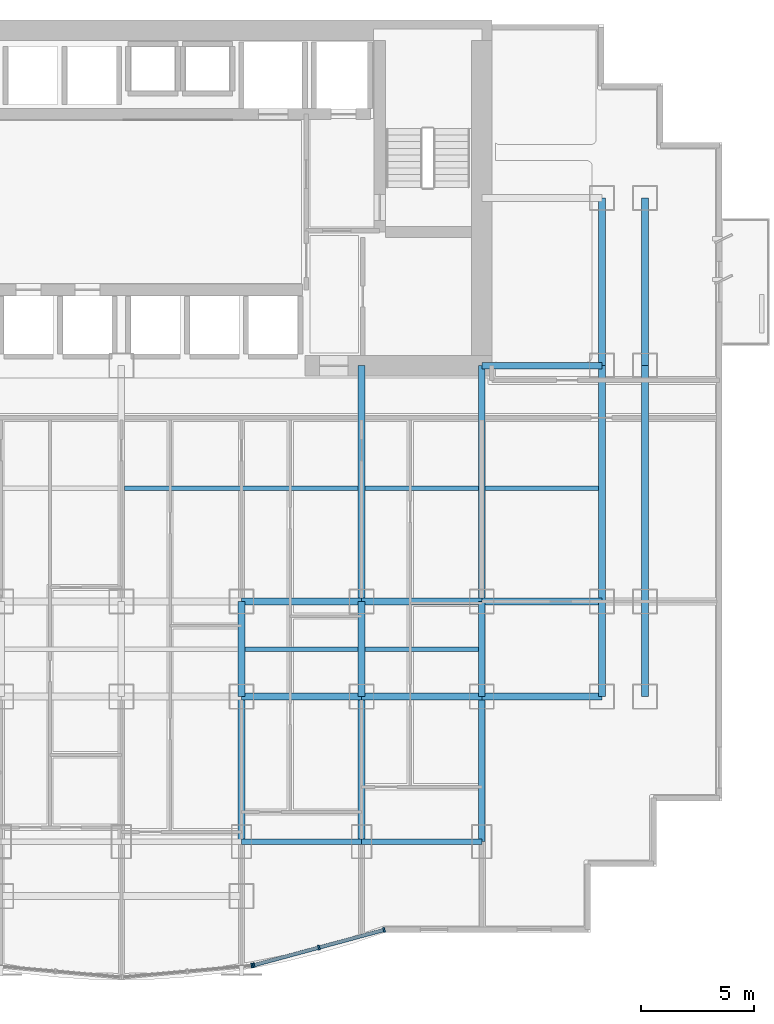
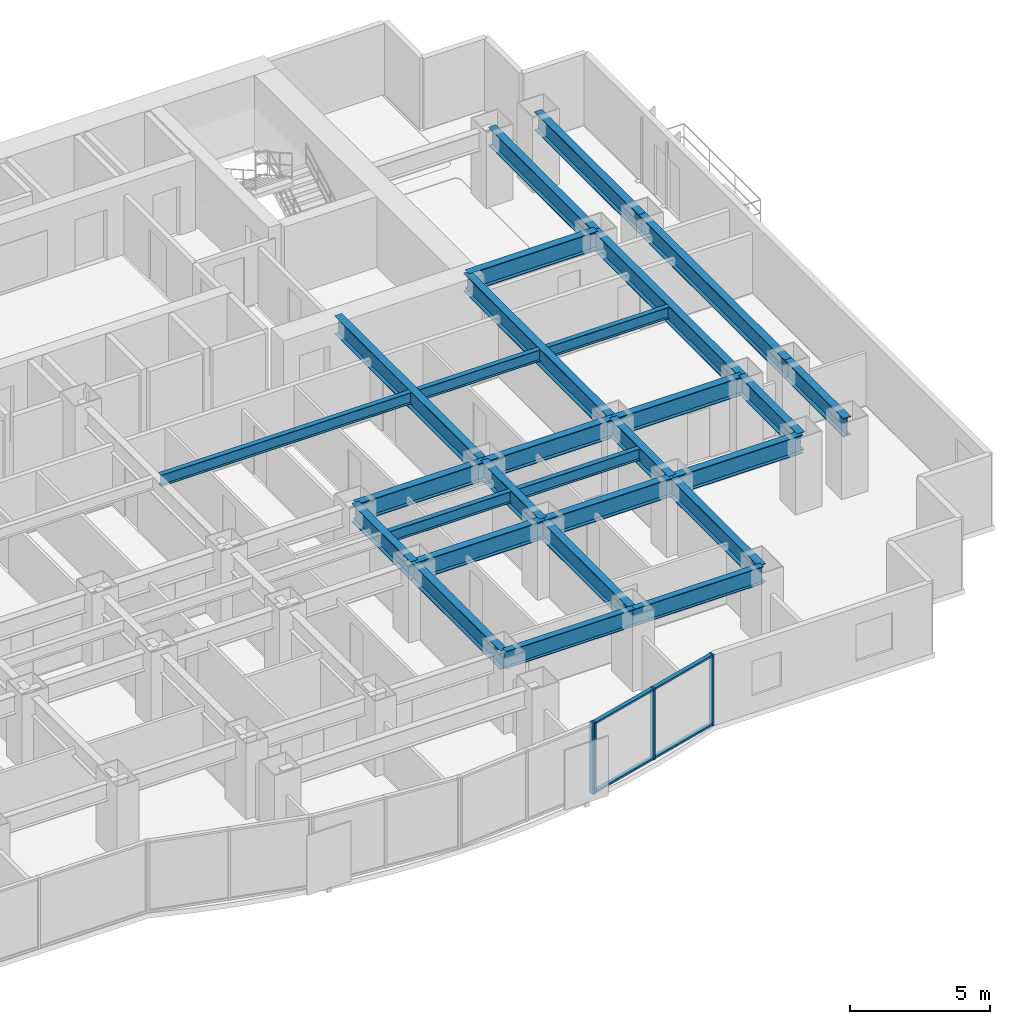
# One storey, part 3 of 10: 28 beams, 8 members, 2 elements without a shape of their own.
"""IFC4 building model written with IfcOpenShell, lengths in metres."""

from ifc_helpers import new_model, si_unit, direction, frame, origin, origin_2d, place, context, subcontext, project, spatial, rectangle, i_section, extrude, source, transform, mapped, material, layer, layer_set, material_profile, profile_set, type_object, element, aggregate, save


model = new_model("IFC4")

# Units and contexts
model_context = context("Model", 3, precision=1e-05, world=origin(), true_north=direction((0.0, 1.0)))
body_context = subcontext(model_context, "Body", "Model", "MODEL_VIEW")
ifc_project = project(units=[si_unit("LENGTHUNIT", "METRE"), si_unit("AREAUNIT", "SQUARE_METRE"), si_unit("VOLUMEUNIT", "CUBIC_METRE"), si_unit("PLANEANGLEUNIT", "RADIAN"), si_unit("MASSUNIT", "GRAM", prefix="KILO")], contexts=[model_context])

# Site, building, storey
site_placement = place(None, origin())
site = spatial("IfcSite", under=ifc_project, at=site_placement, CompositionType="ELEMENT")
building_placement = place(site_placement, origin())
building = spatial("IfcBuilding", under=site, at=building_placement, Name="Qianlan Lanfeng Residences", CompositionType="ELEMENT")
storey_placement = place(building_placement, frame((0.0, 0.0, 60.5)))
storey = spatial("IfcBuildingStorey", under=building, at=storey_placement, Name="L16", CompositionType="ELEMENT", Elevation=60.5)

# Beams
ifc_material_1 = material(Name="Steel SN490B", Category="steel")
ifc_material_profile_1 = material_profile(ifc_material_1, i_section(OverallWidth=0.300048828125, OverallDepth=0.800048828125, WebThickness=0.01611328125, FlangeThickness=0.028076171875, at=origin_2d()), Name="H 800x300x16x28")
ifc_profile_set_1 = profile_set([ifc_material_profile_1], Name="Steel SN490B")
beam_type_1 = type_object("IfcBeamType", Name="G-950", PredefinedType="BEAM", material=ifc_profile_set_1)
beam_1_placement = place(storey_placement, frame((31.800048828125, 10.60009765625, 2.679931640625), z_axis=(1.0, 0.0, 0.0), x_axis=(0.0, 1.0, 0.0)))
element("IfcBeam", 1, at=beam_1_placement, inside=storey, type_object=beam_type_1, Name="Structural beam G-950", PredefinedType="BEAM", context=body_context, shape_type="SweptSolid", body=[
    extrude(i_section(OverallWidth=0.300048828125, OverallDepth=0.800048828125, WebThickness=0.01611328125, FlangeThickness=0.028076171875, at=origin_2d()), origin(), (0.0, 0.0, 1.0), 5.300048828125),
])
beam_2_placement = place(storey_placement, frame((37.10009765625, 10.60009765625, 2.679931640625), z_axis=(1.0, 0.0, 0.0), x_axis=(0.0, 1.0, 0.0)))
element("IfcBeam", 2, at=beam_2_placement, inside=storey, type_object=beam_type_1, Name="Structural beam G-950", PredefinedType="BEAM", context=body_context, shape_type="SweptSolid", body=[
    extrude(i_section(OverallWidth=0.300048828125, OverallDepth=0.800048828125, WebThickness=0.01611328125, FlangeThickness=0.028076171875, at=origin_2d()), origin(), (0.0, 0.0, 1.0), 5.2998046875),
])
for number, where, z_axis, x_axis, name in (
    (3, (42.39990234375, 10.60009765625, 2.679931640625), (1.0, 0.0, 0.0), (0.0, 1.0, 0.0), "Structural beam G-950"),
    (4, (31.800048828125, 14.800048828125, 2.679931640625), (1.0, 0.0, 0.0), (0.0, 1.0, 0.0), "Structural beam G-950"),
):
    element("IfcBeam", number, at=place(storey_placement, frame(where, z_axis=z_axis, x_axis=x_axis)), inside=storey, type_object=beam_type_1, Name=name, PredefinedType="BEAM", context=body_context, shape_type="SweptSolid", body=[
        extrude(i_section(OverallWidth=0.300048828125, OverallDepth=0.800048828125, WebThickness=0.01611328125, FlangeThickness=0.028076171875, at=origin_2d()), origin(), (0.0, 0.0, 1.0), 5.300048828125),
    ])
beam_3_placement = place(storey_placement, frame((37.10009765625, 14.800048828125, 2.679931640625), z_axis=(1.0, 0.0, 0.0), x_axis=(0.0, 1.0, 0.0)))
element("IfcBeam", 5, at=beam_3_placement, inside=storey, type_object=beam_type_1, Name="Structural beam G-950", PredefinedType="BEAM", context=body_context, shape_type="SweptSolid", body=[
    extrude(i_section(OverallWidth=0.300048828125, OverallDepth=0.800048828125, WebThickness=0.01611328125, FlangeThickness=0.028076171875, at=origin_2d()), origin(), (0.0, 0.0, 1.0), 5.2998046875),
])
for number, where, z_axis, x_axis, name in (
    (6, (42.39990234375, 14.800048828125, 2.679931640625), (1.0, 0.0, 0.0), (0.0, 1.0, 0.0), "Structural beam G-950"),
    (7, (42.39990234375, 25.199951171875, 2.679931640625), (1.0, 0.0, 0.0), (0.0, 1.0, 0.0), "Structural beam G-950"),
):
    element("IfcBeam", number, at=place(storey_placement, frame(where, z_axis=z_axis, x_axis=x_axis)), inside=storey, type_object=beam_type_1, Name=name, PredefinedType="BEAM", context=body_context, shape_type="SweptSolid", body=[
        extrude(i_section(OverallWidth=0.300048828125, OverallDepth=0.800048828125, WebThickness=0.01611328125, FlangeThickness=0.028076171875, at=origin_2d()), origin(), (0.0, 0.0, 1.0), 5.300048828125),
    ])
beam_4_placement = place(storey_placement, frame((31.800048828125, 4.199951171875, 2.679931640625), z_axis=(0.0, 1.0, 0.0), x_axis=(-1.0, 0.0, 0.0)))
element("IfcBeam", 8, at=beam_4_placement, inside=storey, type_object=beam_type_1, Name="Structural beam G-950", PredefinedType="BEAM", context=body_context, shape_type="SweptSolid", body=[
    extrude(i_section(OverallWidth=0.300048828125, OverallDepth=0.800048828125, WebThickness=0.01611328125, FlangeThickness=0.028076171875, at=origin_2d()), origin(), (0.0, 0.0, 1.0), 6.400146484375),
])
beam_5_placement = place(storey_placement, frame((31.800048828125, 10.60009765625, 2.679931640625), z_axis=(0.0, 1.0, 0.0), x_axis=(-1.0, 0.0, 0.0)))
element("IfcBeam", 9, at=beam_5_placement, inside=storey, type_object=beam_type_1, Name="Structural beam G-950", PredefinedType="BEAM", context=body_context, shape_type="SweptSolid", body=[
    extrude(i_section(OverallWidth=0.300048828125, OverallDepth=0.800048828125, WebThickness=0.01611328125, FlangeThickness=0.028076171875, at=origin_2d()), origin(), (0.0, 0.0, 1.0), 4.199951171875),
])
beam_6_placement = place(storey_placement, frame((37.10009765625, 4.199951171875, 2.679931640625), z_axis=(0.0, 1.0, 0.0), x_axis=(-1.0, 0.0, 0.0)))
element("IfcBeam", 10, at=beam_6_placement, inside=storey, type_object=beam_type_1, Name="Structural beam G-950", PredefinedType="BEAM", context=body_context, shape_type="SweptSolid", body=[
    extrude(i_section(OverallWidth=0.300048828125, OverallDepth=0.800048828125, WebThickness=0.01611328125, FlangeThickness=0.028076171875, at=origin_2d()), origin(), (0.0, 0.0, 1.0), 6.400146484375),
])
beam_7_placement = place(storey_placement, frame((37.10009765625, 10.60009765625, 2.679931640625), z_axis=(0.0, 1.0, 0.0), x_axis=(-1.0, 0.0, 0.0)))
element("IfcBeam", 11, at=beam_7_placement, inside=storey, type_object=beam_type_1, Name="Structural beam G-950", PredefinedType="BEAM", context=body_context, shape_type="SweptSolid", body=[
    extrude(i_section(OverallWidth=0.300048828125, OverallDepth=0.800048828125, WebThickness=0.01611328125, FlangeThickness=0.028076171875, at=origin_2d()), origin(), (0.0, 0.0, 1.0), 4.199951171875),
])
beam_8_placement = place(storey_placement, frame((37.10009765625, 14.800048828125, 2.679931640625), z_axis=(0.0, 1.0, 0.0), x_axis=(-1.0, 0.0, 0.0)))
element("IfcBeam", 12, at=beam_8_placement, inside=storey, type_object=beam_type_1, Name="Structural beam G-950", PredefinedType="BEAM", context=body_context, shape_type="SweptSolid", body=[
    extrude(i_section(OverallWidth=0.300048828125, OverallDepth=0.800048828125, WebThickness=0.01611328125, FlangeThickness=0.028076171875, at=origin_2d()), origin(), (0.0, 0.0, 1.0), 10.39990234375),
])
beam_9_placement = place(storey_placement, frame((42.39990234375, 4.199951171875, 2.679931640625), z_axis=(0.0, 1.0, 0.0), x_axis=(-1.0, 0.0, 0.0)))
element("IfcBeam", 13, at=beam_9_placement, inside=storey, type_object=beam_type_1, Name="Structural beam G-950", PredefinedType="BEAM", context=body_context, shape_type="SweptSolid", body=[
    extrude(i_section(OverallWidth=0.300048828125, OverallDepth=0.800048828125, WebThickness=0.01611328125, FlangeThickness=0.028076171875, at=origin_2d()), origin(), (0.0, 0.0, 1.0), 6.400146484375),
])
beam_10_placement = place(storey_placement, frame((42.39990234375, 10.60009765625, 2.679931640625), z_axis=(0.0, 1.0, 0.0), x_axis=(-1.0, 0.0, 0.0)))
element("IfcBeam", 14, at=beam_10_placement, inside=storey, type_object=beam_type_1, Name="Structural beam G-950", PredefinedType="BEAM", context=body_context, shape_type="SweptSolid", body=[
    extrude(i_section(OverallWidth=0.300048828125, OverallDepth=0.800048828125, WebThickness=0.01611328125, FlangeThickness=0.028076171875, at=origin_2d()), origin(), (0.0, 0.0, 1.0), 4.199951171875),
])
beam_11_placement = place(storey_placement, frame((42.39990234375, 14.800048828125, 2.679931640625), z_axis=(0.0, 1.0, 0.0), x_axis=(-1.0, 0.0, 0.0)))
element("IfcBeam", 15, at=beam_11_placement, inside=storey, type_object=beam_type_1, Name="Structural beam G-950", PredefinedType="BEAM", context=body_context, shape_type="SweptSolid", body=[
    extrude(i_section(OverallWidth=0.300048828125, OverallDepth=0.800048828125, WebThickness=0.01611328125, FlangeThickness=0.028076171875, at=origin_2d()), origin(), (0.0, 0.0, 1.0), 10.39990234375),
])
beam_12_placement = place(storey_placement, frame((47.699951171875, 10.60009765625, 2.679931640625), z_axis=(0.0, 1.0, 0.0), x_axis=(-1.0, 0.0, 0.0)))
element("IfcBeam", 16, at=beam_12_placement, inside=storey, type_object=beam_type_1, Name="Structural beam G-950", PredefinedType="BEAM", context=body_context, shape_type="SweptSolid", body=[
    extrude(i_section(OverallWidth=0.300048828125, OverallDepth=0.800048828125, WebThickness=0.01611328125, FlangeThickness=0.028076171875, at=origin_2d()), origin(), (0.0, 0.0, 1.0), 4.199951171875),
])
beam_13_placement = place(storey_placement, frame((47.699951171875, 14.800048828125, 2.679931640625), z_axis=(0.0, 1.0, 0.0), x_axis=(-1.0, 0.0, 0.0)))
element("IfcBeam", 17, at=beam_13_placement, inside=storey, type_object=beam_type_1, Name="Structural beam G-950", PredefinedType="BEAM", context=body_context, shape_type="SweptSolid", body=[
    extrude(i_section(OverallWidth=0.300048828125, OverallDepth=0.800048828125, WebThickness=0.01611328125, FlangeThickness=0.028076171875, at=origin_2d()), origin(), (0.0, 0.0, 1.0), 10.39990234375),
])
beam_14_placement = place(storey_placement, frame((47.699951171875, 25.199951171875, 2.679931640625), z_axis=(0.0, 1.0, 0.0), x_axis=(-1.0, 0.0, 0.0)))
element("IfcBeam", 18, at=beam_14_placement, inside=storey, type_object=beam_type_1, Name="Structural beam G-950", PredefinedType="BEAM", context=body_context, shape_type="SweptSolid", body=[
    extrude(i_section(OverallWidth=0.300048828125, OverallDepth=0.800048828125, WebThickness=0.01611328125, FlangeThickness=0.028076171875, at=origin_2d()), origin(), (0.0, 0.0, 1.0), 7.400146484375),
])
beam_15_placement = place(storey_placement, frame((49.60009765625, 10.60009765625, 2.679931640625), z_axis=(0.0, 1.0, 0.0), x_axis=(-1.0, 0.0, 0.0)))
element("IfcBeam", 19, at=beam_15_placement, inside=storey, type_object=beam_type_1, Name="Structural beam G-950", PredefinedType="BEAM", context=body_context, shape_type="SweptSolid", body=[
    extrude(i_section(OverallWidth=0.300048828125, OverallDepth=0.800048828125, WebThickness=0.01611328125, FlangeThickness=0.028076171875, at=origin_2d()), origin(), (0.0, 0.0, 1.0), 4.199951171875),
])
beam_16_placement = place(storey_placement, frame((49.60009765625, 14.800048828125, 2.679931640625), z_axis=(0.0, 1.0, 0.0), x_axis=(-1.0, 0.0, 0.0)))
element("IfcBeam", 20, at=beam_16_placement, inside=storey, type_object=beam_type_1, Name="Structural beam G-950", PredefinedType="BEAM", context=body_context, shape_type="SweptSolid", body=[
    extrude(i_section(OverallWidth=0.300048828125, OverallDepth=0.800048828125, WebThickness=0.01611328125, FlangeThickness=0.028076171875, at=origin_2d()), origin(), (0.0, 0.0, 1.0), 10.39990234375),
])
beam_17_placement = place(storey_placement, frame((49.60009765625, 25.199951171875, 2.679931640625), z_axis=(0.0, 1.0, 0.0), x_axis=(-1.0, 0.0, 0.0)))
element("IfcBeam", 21, at=beam_17_placement, inside=storey, type_object=beam_type_1, Name="Structural beam G-950", PredefinedType="BEAM", context=body_context, shape_type="SweptSolid", body=[
    extrude(i_section(OverallWidth=0.300048828125, OverallDepth=0.800048828125, WebThickness=0.01611328125, FlangeThickness=0.028076171875, at=origin_2d()), origin(), (0.0, 0.0, 1.0), 7.400146484375),
])
ifc_material_profile_2 = material_profile(ifc_material_1, i_section(OverallWidth=0.199951171875, OverallDepth=0.5, WebThickness=0.010009765625, FlangeThickness=0.01611328125, at=origin_2d()), Name="H 500x200x10x16")
ifc_profile_set_2 = profile_set([ifc_material_profile_2], Name="Steel SN490B")
beam_type_2 = type_object("IfcBeamType", Name="J-500", PredefinedType="JOIST", material=ifc_profile_set_2)
for number, where, z_axis, x_axis, name in (
    (22, (31.949951171875, 12.699951171875, 2.830078125), (1.0, 0.0, 0.0), (0.0, 1.0, 0.0), "Structural beam J-500"),
    (23, (37.25, 12.699951171875, 2.830078125), (1.0, 0.0, 0.0), (0.0, 1.0, 0.0), "Structural beam J-500"),
):
    element("IfcBeam", number, at=place(storey_placement, frame(where, z_axis=z_axis, x_axis=x_axis)), inside=storey, type_object=beam_type_2, Name=name, PredefinedType="JOIST", context=body_context, shape_type="SweptSolid", body=[
        extrude(i_section(OverallWidth=0.199951171875, OverallDepth=0.5, WebThickness=0.010009765625, FlangeThickness=0.01611328125, at=origin_2d()), origin(), (0.0, 0.0, 1.0), 5.0),
    ])
beam_18_placement = place(storey_placement, frame((26.64990234375, 19.800048828125, 2.830078125), z_axis=(1.0, 0.0, 0.0), x_axis=(0.0, 1.0, 0.0)))
element("IfcBeam", 24, at=beam_18_placement, inside=storey, type_object=beam_type_2, Name="Structural beam J-500", PredefinedType="JOIST", context=body_context, shape_type="SweptSolid", body=[
    extrude(i_section(OverallWidth=0.199951171875, OverallDepth=0.5, WebThickness=0.010009765625, FlangeThickness=0.01611328125, at=origin_2d()), origin(), (0.0, 0.0, 1.0), 10.300048828125),
])
for number, where, z_axis, x_axis, name in (
    (25, (37.25, 19.800048828125, 2.830078125), (1.0, 0.0, 0.0), (0.0, 1.0, 0.0), "Structural beam J-500"),
    (26, (42.550048828125, 19.800048828125, 2.830078125), (1.0, 0.0, 0.0), (0.0, 1.0, 0.0), "Structural beam J-500"),
):
    element("IfcBeam", number, at=place(storey_placement, frame(where, z_axis=z_axis, x_axis=x_axis)), inside=storey, type_object=beam_type_2, Name=name, PredefinedType="JOIST", context=body_context, shape_type="SweptSolid", body=[
        extrude(i_section(OverallWidth=0.199951171875, OverallDepth=0.5, WebThickness=0.010009765625, FlangeThickness=0.01611328125, at=origin_2d()), origin(), (0.0, 0.0, 1.0), 5.0),
    ])
ifc_material_profile_3 = material_profile(ifc_material_1, i_section(OverallWidth=0.25, OverallDepth=0.75, WebThickness=0.013916015625, FlangeThickness=0.02490234375, at=origin_2d()), Name="H 750x250x14x25")
ifc_profile_set_3 = profile_set([ifc_material_profile_3], Name="Steel SN490B")
beam_type_3 = type_object("IfcBeamType", Name="SG-850", PredefinedType="SPANDREL", material=ifc_profile_set_3)
beam_19_placement = place(storey_placement, frame((31.800048828125, 4.199951171875, 2.705078125), z_axis=(1.0, 0.0, 0.0), x_axis=(0.0, 1.0, 0.0)))
element("IfcBeam", 27, at=beam_19_placement, inside=storey, type_object=beam_type_3, Name="Structural beam SG-850", PredefinedType="SPANDREL", context=body_context, shape_type="SweptSolid", body=[
    extrude(i_section(OverallWidth=0.25, OverallDepth=0.75, WebThickness=0.013916015625, FlangeThickness=0.02490234375, at=origin_2d()), origin(), (0.0, 0.0, 1.0), 5.300048828125),
])
beam_20_placement = place(storey_placement, frame((37.10009765625, 4.199951171875, 2.705078125), z_axis=(1.0, 0.0, 0.0), x_axis=(0.0, 1.0, 0.0)))
element("IfcBeam", 28, at=beam_20_placement, inside=storey, type_object=beam_type_3, Name="Structural beam SG-850", PredefinedType="SPANDREL", context=body_context, shape_type="SweptSolid", body=[
    extrude(i_section(OverallWidth=0.25, OverallDepth=0.75, WebThickness=0.013916015625, FlangeThickness=0.02490234375, at=origin_2d()), origin(), (0.0, 0.0, 1.0), 5.2998046875),
])

# Curtain wall, member
ifc_material_2 = material(Name="Anodised Bronze Aluminium 6063-T6", Category="aluminium")
ifc_layer = layer(ifc_material_2, 0.219970703125)
ifc_layer_set = layer_set([ifc_layer], Name="Anodised Bronze Aluminium 6063-T6")
curtain_wall_type = type_object("IfcCurtainWallType", Name="CW-02", PredefinedType="NOTDEFINED", material=ifc_layer_set)
curtain_wall_1_placement = place(storey_placement, origin())
curtain_wall_1 = element("IfcCurtainWall", 29, at=curtain_wall_1_placement, inside=storey, type_object=curtain_wall_type, Name="L16 Unitised Curtain Wall CWR-L16-04 (CW-02)", PredefinedType="NOTDEFINED")
ifc_material_profile_4 = material_profile(ifc_material_2, rectangle(XDim=0.080078125, YDim=0.2099609375, at=origin_2d()), Name="ALU MULLION 80x210")
ifc_profile_set_4 = profile_set([ifc_material_profile_4], Name="Anodised Bronze Aluminium 6063-T6")
member_type_1 = type_object("IfcMemberType", Name="CWM-220", PredefinedType="MULLION", material=ifc_profile_set_4)
shared_shape_1 = source(origin(), body_context, "Body", "SweptSolid", [
    extrude(rectangle(XDim=0.080078125, YDim=0.2099609375, at=origin_2d()), origin(), (0.0, 0.0, 1.0), 3.080078125),
])
member_1_placement = place(storey_placement, frame((32.26416015625, -1.260498046875, 0.0), z_axis=(0.0, 0.0, 1.0), x_axis=(0.995964677764, 0.089746089862, 0.0)))
member_1 = element("IfcMember", 30, at=member_1_placement, type_object=member_type_1, Name="CWR-L16-04 Mullion 3", PredefinedType="MULLION", context=body_context, shape_type="MappedRepresentation", body=[
    mapped(shared_shape_1, transform((0.0, 0.0, 0.0), scale=1.0)),
])
aggregate(curtain_wall_1, [member_1])

# Curtain wall, members
curtain_wall_2_placement = place(storey_placement, origin())
curtain_wall_2 = element("IfcCurtainWall", 31, at=curtain_wall_2_placement, inside=storey, type_object=curtain_wall_type, Name="L16 Unitised Curtain Wall CWR-L16-05 (CW-02)", PredefinedType="NOTDEFINED")
member_2_placement = place(storey_placement, frame((32.342529296875, -1.24658203125, 0.0), z_axis=(0.0, 0.0, 1.0), x_axis=(0.9652627173, 0.261281240412, 0.0)))
member_2 = element("IfcMember", 32, at=member_2_placement, type_object=member_type_1, Name="CWR-L16-05 Mullion 1", PredefinedType="MULLION", context=body_context, shape_type="MappedRepresentation", body=[
    mapped(shared_shape_1, transform((0.0, 0.0, 0.0), scale=1.0)),
])
member_3_placement = place(storey_placement, frame((35.217041015625, -0.468505859375, 0.0), z_axis=(0.0, 0.0, 1.0), x_axis=(0.9652627173, 0.261281240412, 0.0)))
member_3 = element("IfcMember", 33, at=member_3_placement, type_object=member_type_1, Name="CWR-L16-05 Mullion 2", PredefinedType="MULLION", context=body_context, shape_type="MappedRepresentation", body=[
    mapped(shared_shape_1, transform((0.0, 0.0, 0.0), scale=1.0)),
])
member_4_placement = place(storey_placement, frame((38.09130859375, 0.3095703125, 0.0), z_axis=(0.0, 0.0, 1.0), x_axis=(0.9652627173, 0.261281240412, 0.0)))
member_4 = element("IfcMember", 34, at=member_4_placement, type_object=member_type_1, Name="CWR-L16-05 Mullion 3", PredefinedType="MULLION", context=body_context, shape_type="MappedRepresentation", body=[
    mapped(shared_shape_1, transform((0.0, 0.0, 0.0), scale=1.0)),
])
ifc_material_profile_5 = material_profile(ifc_material_2, rectangle(XDim=0.080078125, YDim=0.159912109375, at=origin_2d()), Name="ALU TRANSOM 80x160")
ifc_profile_set_5 = profile_set([ifc_material_profile_5], Name="Anodised Bronze Aluminium 6063-T6")
member_type_2 = type_object("IfcMemberType", Name="CWT-180", PredefinedType="USERDEFINED", material=ifc_profile_set_5)
shared_shape_2 = source(origin(), body_context, "Body", "SweptSolid", [
    extrude(rectangle(XDim=0.080078125, YDim=0.159912109375, at=origin_2d()), origin(), (0.0, 0.0, 1.0), 2.897705078125),
])
member_5_placement = place(storey_placement, frame((35.255615234375, -0.4580078125, 0.0400390625), z_axis=(0.965267548724, 0.261263390817, 0.0), x_axis=(0.0, 0.0, 1.0)))
member_5 = element("IfcMember", 35, at=member_5_placement, type_object=member_type_2, Name="CWR-L16-05 Transom 2-BOT", ObjectType="TRANSOM", PredefinedType="USERDEFINED", context=body_context, shape_type="MappedRepresentation", body=[
    mapped(shared_shape_2, transform((0.0, 0.0, 0.0), scale=1.0)),
])
member_6_placement = place(storey_placement, frame((35.255615234375, -0.4580078125, 3.0400390625), z_axis=(0.965267548724, 0.261263390817, 0.0), x_axis=(0.0, 0.0, 1.0)))
member_6 = element("IfcMember", 36, at=member_6_placement, type_object=member_type_2, Name="CWR-L16-05 Transom 2-TOP", ObjectType="TRANSOM", PredefinedType="USERDEFINED", context=body_context, shape_type="MappedRepresentation", body=[
    mapped(shared_shape_2, transform((0.0, 0.0, 0.0), scale=1.0)),
])
shared_shape_3 = source(origin(), body_context, "Body", "SweptSolid", [
    extrude(rectangle(XDim=0.080078125, YDim=0.159912109375, at=origin_2d()), origin(), (0.0, 0.0, 1.0), 2.89794921875),
])
member_7_placement = place(storey_placement, frame((32.381103515625, -1.236083984375, 0.0400390625), z_axis=(0.965273298897, 0.261242145215, 0.0), x_axis=(0.0, 0.0, 1.0)))
member_7 = element("IfcMember", 37, at=member_7_placement, type_object=member_type_2, Name="CWR-L16-05 Transom 1-BOT", ObjectType="TRANSOM", PredefinedType="USERDEFINED", context=body_context, shape_type="MappedRepresentation", body=[
    mapped(shared_shape_3, transform((0.0, 0.0, 0.0), scale=1.0)),
])
member_8_placement = place(storey_placement, frame((32.381103515625, -1.236083984375, 3.0400390625), z_axis=(0.965273298897, 0.261242145215, 0.0), x_axis=(0.0, 0.0, 1.0)))
member_8 = element("IfcMember", 38, at=member_8_placement, type_object=member_type_2, Name="CWR-L16-05 Transom 1-TOP", ObjectType="TRANSOM", PredefinedType="USERDEFINED", context=body_context, shape_type="MappedRepresentation", body=[
    mapped(shared_shape_3, transform((0.0, 0.0, 0.0), scale=1.0)),
])
aggregate(curtain_wall_2, [member_2, member_3, member_4, member_7, member_8, member_5, member_6])

save(model, "model.ifc")
